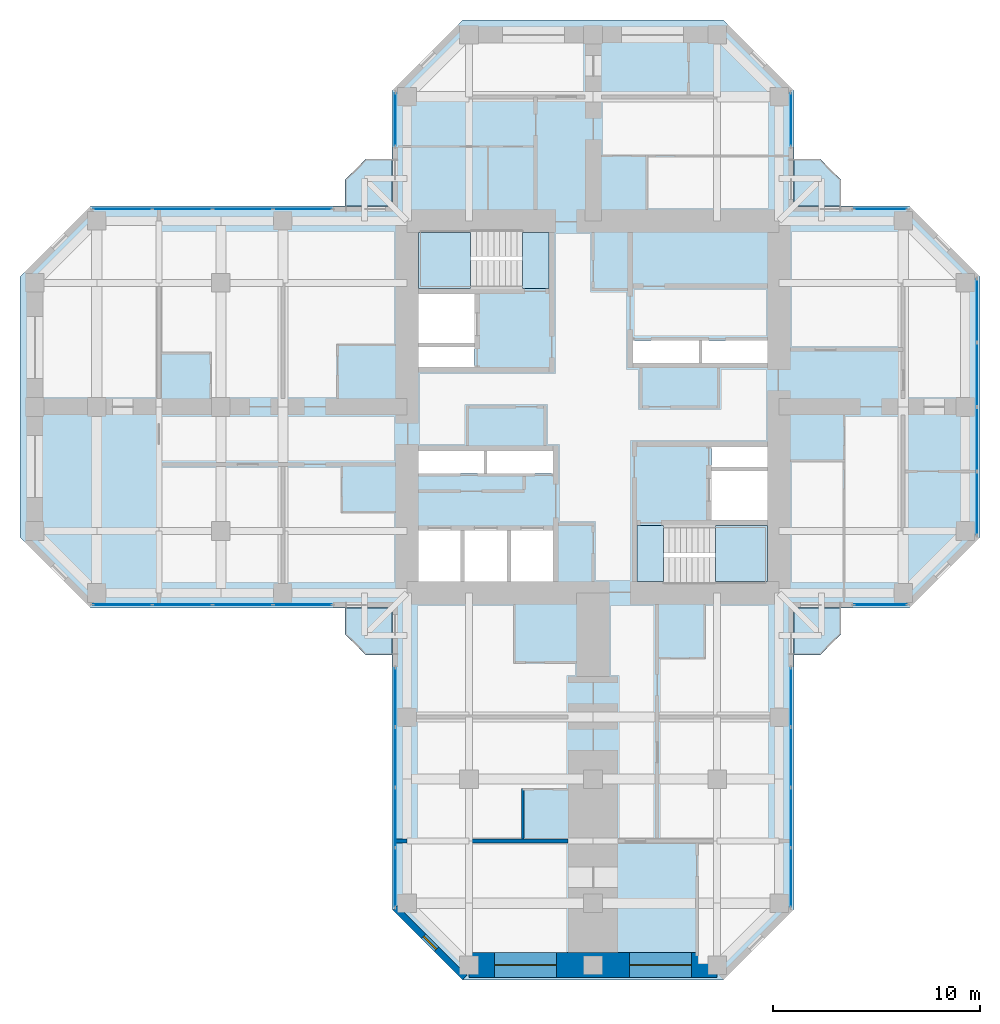
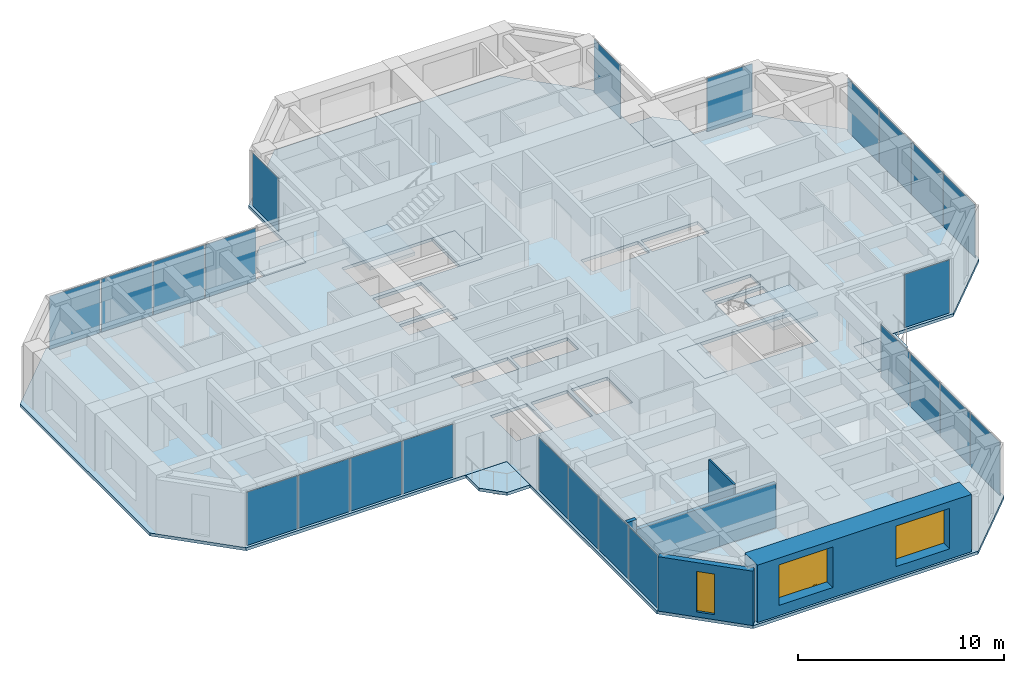
# One storey, part 7 of 14: 24 plates, 9 slabs, 5 walls, 3 windows, 3 openings, 11 elements without a shape of their own.
"""IFC4 building model written with IfcOpenShell, lengths in metres."""

import ifcopenshell
import ifcopenshell.guid

model = None  # the IFC model being written
_history = None  # IfcOwnerHistory: only IFC2X3 demands one
_inside = {}  # id of a spatial element -> (the spatial element, [elements in it])
_under = {}  # id of a project, library or spatial element -> (it, [spatial elements below it])
_declared = {}  # id of a project -> (the project, [libraries it declares])
_typed = {}  # id of a type object -> (the type object, [elements of that type])
_made_of = {}  # id of a material, layer set ... -> (it, [elements and type objects made of it])


def new_model(schema):
    """Start an empty IFC model of exactly this schema.

    Asked for "IFC4X3", IfcOpenShell would pick the latest addendum, in which some entities
    have other attributes; the version numbers below select the first issue.
    IFC2X3 requires an IfcOwnerHistory on every rooted entity: one is made here for all.
    """
    global model, _history
    if schema == "IFC4X3":
        model = ifcopenshell.file(schema_version=(4, 3, 0, 0))
    else:
        model = ifcopenshell.file(schema=schema)
    _inside.clear()
    _under.clear()
    _declared.clear()
    _typed.clear()
    _made_of.clear()
    _history = None
    if model.schema == "IFC2X3":
        org = make("IfcOrganization", Name="unknown")
        user = make(
            "IfcPersonAndOrganization",
            ThePerson=make("IfcPerson", FamilyName="unknown"),
            TheOrganization=org,
        )
        app = make(
            "IfcApplication",
            ApplicationDeveloper=org,
            Version="unknown",
            ApplicationFullName="unknown",
            ApplicationIdentifier="unknown",
        )
        _history = make(
            "IfcOwnerHistory",
            OwningUser=user,
            OwningApplication=app,
            ChangeAction="ADDED",
            CreationDate=0,
        )
    return model


def make(cls, **values):
    """One entity of the class cls with the attributes given. An attribute that is None is left unset."""
    return model.create_entity(
        cls, **{name: value for name, value in values.items() if value is not None}
    )


def rooted(cls, **values):
    """An entity with a GlobalId (a new one), such as an element, a storey or a relation."""
    return make(cls, GlobalId=ifcopenshell.guid.new(), OwnerHistory=_history, **values)


def si_unit(unit_type, name, prefix=None):
    """IfcSIUnit, for example si_unit("LENGTHUNIT", "METRE", prefix="MILLI")."""
    return make("IfcSIUnit", UnitType=unit_type, Prefix=prefix, Name=name)


def assignment(units):
    """IfcUnitAssignment: the units of a project."""
    return None if units is None else make("IfcUnitAssignment", Units=units)


def point(xyz):
    """IfcCartesianPoint."""
    return None if xyz is None else make("IfcCartesianPoint", Coordinates=xyz)


def direction(xyz):
    """IfcDirection."""
    return None if xyz is None else make("IfcDirection", DirectionRatios=xyz)


def frame(location, z_axis=None, x_axis=None):
    """IfcAxis2Placement3D, a coordinate frame: its origin and axes. An axis left out is left unset."""
    return make(
        "IfcAxis2Placement3D",
        Location=point(location),
        Axis=direction(z_axis),
        RefDirection=direction(x_axis),
    )


def frame_2d(location, x_axis=None):
    """IfcAxis2Placement2D, a coordinate frame in the plane: its origin and x axis."""
    return make(
        "IfcAxis2Placement2D", Location=point(location), RefDirection=direction(x_axis)
    )


def origin():
    """The frame at (0, 0, 0) with its axes left unset."""
    return frame((0.0, 0.0, 0.0))


def origin_2d():
    """The frame at (0, 0) in the plane with its x axis left unset."""
    return frame_2d((0.0, 0.0))


def place(relative_to, where):
    """IfcLocalPlacement: puts the frame where relative to a parent placement (None: the world)."""
    return make(
        "IfcLocalPlacement", PlacementRelTo=relative_to, RelativePlacement=where
    )


def context(
    kind, dimensions, precision=None, world=None, true_north=None, identifier=None
):
    """IfcGeometricRepresentationContext, for example the 3D "Model" context."""
    return make(
        "IfcGeometricRepresentationContext",
        ContextIdentifier=identifier,
        ContextType=kind,
        CoordinateSpaceDimension=dimensions,
        Precision=precision,
        WorldCoordinateSystem=world,
        TrueNorth=true_north,
    )


def subcontext(parent, identifier, kind, view, scale=None):
    """IfcGeometricRepresentationSubContext, for example "Body" below "Model"."""
    return make(
        "IfcGeometricRepresentationSubContext",
        ContextIdentifier=identifier,
        ContextType=kind,
        ParentContext=parent,
        TargetScale=scale,
        TargetView=view,
    )


def project(units=None, contexts=None):
    """IfcProject with its units and contexts."""
    return rooted(
        "IfcProject",
        Name="project",
        RepresentationContexts=contexts,
        UnitsInContext=assignment(units),
    )


def spatial(cls, under=None, at=None, **own):
    """A site, building, storey or space (cls), placed at a placement, below another one or the project."""
    s = rooted(cls, ObjectPlacement=at, **own)
    if under is not None:
        _under.setdefault(under.id(), (under, []))[1].append(s)
    return s


def polyline(points):
    """IfcPolyline through the points."""
    return make("IfcPolyline", Points=[point(p) for p in points])


def profile(cls, at=None, kind="AREA", **sizes):
    """A parametric profile (cls). Its sizes go by their IFC names, for example OverallWidth=200.0."""
    return make(cls, ProfileType=kind, Position=at, **sizes)


def rectangle(**sizes):
    """IfcRectangleProfileDef."""
    return profile("IfcRectangleProfileDef", **sizes)


def hollow_rectangle(**sizes):
    """IfcRectangleHollowProfileDef."""
    return profile("IfcRectangleHollowProfileDef", **sizes)


def outline(outer, holes=None, kind="AREA"):
    """IfcArbitraryClosedProfileDef: a profile drawn as a closed curve; with holes, ...WithVoids."""
    if holes is None:
        return make("IfcArbitraryClosedProfileDef", ProfileType=kind, OuterCurve=outer)
    return make(
        "IfcArbitraryProfileDefWithVoids",
        ProfileType=kind,
        OuterCurve=outer,
        InnerCurves=holes,
    )


def extrude(swept, where, along, depth):
    """IfcExtrudedAreaSolid: the profile swept, set in the frame where, extruded along a direction by depth."""
    return make(
        "IfcExtrudedAreaSolid",
        SweptArea=swept,
        Position=where,
        ExtrudedDirection=direction(along),
        Depth=depth,
    )


def shape(context_of_items, identifier, shape_type, items):
    """IfcShapeRepresentation: the items that make up one representation, for example the "Body"."""
    return make(
        "IfcShapeRepresentation",
        ContextOfItems=context_of_items,
        RepresentationIdentifier=identifier,
        RepresentationType=shape_type,
        Items=items,
    )


def material(Name=None, Category=None):
    """IfcMaterial."""
    return make("IfcMaterial", Name=Name, Category=Category)


def layer(
    of_material, thickness, ventilated=None, Name=None, Category=None, Priority=None
):
    """IfcMaterialLayer: one layer of a wall or slab, of a material (None: an air gap)."""
    return make(
        "IfcMaterialLayer",
        Material=of_material,
        LayerThickness=thickness,
        IsVentilated=ventilated,
        Name=Name,
        Category=Category,
        Priority=Priority,
    )


def layer_set(layers, Name=None):
    """IfcMaterialLayerSet."""
    return make("IfcMaterialLayerSet", MaterialLayers=layers, LayerSetName=Name)


def constituent(of_material, Name=None, Category=None, fraction=None):
    """IfcMaterialConstituent: one of the materials an element consists of."""
    return make(
        "IfcMaterialConstituent",
        Name=Name,
        Material=of_material,
        Fraction=fraction,
        Category=Category,
    )


def constituent_set(constituents=None, Name=None):
    """IfcMaterialConstituentSet."""
    return make(
        "IfcMaterialConstituentSet", Name=Name, MaterialConstituents=constituents
    )


def made_of(thing, what):
    """Note that an element or type object is made of a material, layer set ...; save() writes the relation."""
    if what is not None:
        _made_of.setdefault(what.id(), (what, []))[1].append(thing)
    return thing


def type_object(cls, material=None, **own):
    """A type object (cls), such as IfcWallType, which elements share."""
    return made_of(rooted(cls, **own), material)


def element(
    cls,
    number,
    at=None,
    inside=None,
    cuts=None,
    type_object=None,
    material=None,
    context=None,
    identifier="Body",
    shape_type=None,
    held_by="IfcProductDefinitionShape",
    body=None,
    shapes=None,
    **own,
):
    """One element of the class cls, such as IfcWall. Its Tag is "e" and its number.

    at: its placement. inside: the storey or other place that contains it. cuts: it is an
    opening in that element (IfcRelVoidsElement). A single representation is given by context,
    identifier, shape_type and body (its items); several are given by shapes. held_by: the class
    of the entity that holds the representations. save() writes the other relations.
    """
    e = rooted(cls, Tag="e%d" % number, ObjectPlacement=at, **own)
    if body is not None:
        shapes = [shape(context, identifier, shape_type, body)]
    if shapes is not None:
        e.Representation = make(held_by, Representations=shapes)
    if inside is not None:
        _inside.setdefault(inside.id(), (inside, []))[1].append(e)
    if cuts is not None:
        rooted(
            "IfcRelVoidsElement", RelatingBuildingElement=cuts, RelatedOpeningElement=e
        )
    if type_object is not None:
        _typed.setdefault(type_object.id(), (type_object, []))[1].append(e)
    return made_of(e, material)


def fill(opening, filler):
    """IfcRelFillsElement: the door or window that sits in an opening."""
    return rooted(
        "IfcRelFillsElement",
        RelatingOpeningElement=opening,
        RelatedBuildingElement=filler,
    )


def aggregate(whole, parts):
    """IfcRelAggregates: a whole, such as a stair, and the parts it consists of."""
    return rooted("IfcRelAggregates", RelatingObject=whole, RelatedObjects=parts)


def save(model, path):
    """Write the relations noted so far, then the file.

    IfcRelAggregates (storeys below a building ...), IfcRelContainedInSpatialStructure (elements
    in a storey), IfcRelDefinesByType, IfcRelAssociatesMaterial and IfcRelDeclares: one each for
    every whole, place, type object, material and project.
    """
    for whole, parts in _under.values():
        aggregate(whole, parts)
    for where, things in _inside.values():
        rooted(
            "IfcRelContainedInSpatialStructure",
            RelatedElements=things,
            RelatingStructure=where,
        )
    for kind, things in _typed.values():
        rooted("IfcRelDefinesByType", RelatedObjects=things, RelatingType=kind)
    for what, things in _made_of.values():
        rooted("IfcRelAssociatesMaterial", RelatedObjects=things, RelatingMaterial=what)
    for by, libraries in _declared.values():
        rooted("IfcRelDeclares", RelatingContext=by, RelatedDefinitions=libraries)
    model.write(path)


model = new_model("IFC4")

# Units and contexts
model_context = context("Model", 3, precision=1e-05, world=origin(), true_north=direction((0.0, 1.0)))
body_context = subcontext(model_context, "Body", "Model", "MODEL_VIEW")
ifc_project = project(units=[si_unit("LENGTHUNIT", "METRE"), si_unit("AREAUNIT", "SQUARE_METRE"), si_unit("VOLUMEUNIT", "CUBIC_METRE"), si_unit("PLANEANGLEUNIT", "RADIAN"), si_unit("MASSUNIT", "GRAM", prefix="KILO")], contexts=[model_context])

# Site, building, storey
site_placement = place(None, origin())
site = spatial("IfcSite", under=ifc_project, at=site_placement, CompositionType="ELEMENT")
building_placement = place(site_placement, origin())
building = spatial("IfcBuilding", under=site, at=building_placement, Name="Torre Cruceta", CompositionType="ELEMENT")
storey_placement = place(building_placement, frame((0.0, 0.0, 210.300048828125)))
storey = spatial("IfcBuildingStorey", under=building, at=storey_placement, Name="L53", CompositionType="ELEMENT", Elevation=210.300048828125)

# Slabs
ifc_material_1 = material(Name="Concrete G35 (fck 35 MPa)", Category="concrete")
ifc_layer_1 = layer(ifc_material_1, 0.179931640625)
ifc_layer_set_1 = layer_set([ifc_layer_1], Name="Concrete G35 (fck 35 MPa)")
slab_type_1 = type_object("IfcSlabType", Name="BALCONY SLAB 180", PredefinedType="USERDEFINED", material=ifc_layer_set_1)
slab_1_placement = place(storey_placement, frame((0.0, 0.0, -0.179931640625)))
element("IfcSlab", 1, at=slab_1_placement, inside=storey, type_object=slab_type_1, Name="Balcony slab L53 N", ObjectType="BALCONY", PredefinedType="USERDEFINED", context=body_context, shape_type="SweptSolid", body=[
    extrude(outline(polyline([(-12.0, 11.0), (-11.0, 12.0), (-9.719970703125, 12.0), (-9.719970703125, 9.719970703125), (-12.0, 9.719970703125), (-12.0, 11.0)])), origin(), (0.0, 0.0, 1.0), 0.179931640625),
])
slab_2_placement = place(storey_placement, frame((0.0, 0.0, -0.179931640625)))
element("IfcSlab", 2, at=slab_2_placement, inside=storey, type_object=slab_type_1, Name="Balcony slab L53 E", ObjectType="BALCONY", PredefinedType="USERDEFINED", context=body_context, shape_type="SweptSolid", body=[
    extrude(outline(polyline([(11.0, 12.0), (12.0, 11.0), (12.0, 9.719970703125), (9.719970703125, 9.719970703125), (9.719970703125, 12.0), (11.0, 12.0)])), origin(), (0.0, 0.0, 1.0), 0.179931640625),
])
slab_3_placement = place(storey_placement, frame((0.0, 0.0, -0.179931640625)))
element("IfcSlab", 3, at=slab_3_placement, inside=storey, type_object=slab_type_1, Name="Balcony slab L53 S", ObjectType="BALCONY", PredefinedType="USERDEFINED", context=body_context, shape_type="SweptSolid", body=[
    extrude(outline(polyline([(12.0, -11.0), (11.0, -12.0), (9.719970703125, -12.0), (9.719970703125, -9.719970703125), (12.0, -9.719970703125), (12.0, -11.0)])), origin(), (0.0, 0.0, 1.0), 0.179931640625),
])
slab_4_placement = place(storey_placement, frame((0.0, 0.0, -0.179931640625)))
element("IfcSlab", 4, at=slab_4_placement, inside=storey, type_object=slab_type_1, Name="Balcony slab L53 W", ObjectType="BALCONY", PredefinedType="USERDEFINED", context=body_context, shape_type="SweptSolid", body=[
    extrude(outline(polyline([(-11.0, -12.0), (-12.0, -11.0), (-12.0, -9.719970703125), (-9.719970703125, -9.719970703125), (-9.719970703125, -12.0), (-11.0, -12.0)])), origin(), (0.0, 0.0, 1.0), 0.179931640625),
])

# Curtain wall, plate
ifc_material_2 = material(Name="Aluminium unitised curtain wall", Category="aluminium")
curtain_wall_type = type_object("IfcCurtainWallType", Name="CURTAIN WALL CW-C CO-LIVING", PredefinedType="USERDEFINED", material=ifc_material_2)
curtain_wall_1_placement = place(storey_placement, origin())
curtain_wall_1 = element("IfcCurtainWall", 5, at=curtain_wall_1_placement, inside=storey, type_object=curtain_wall_type, Name="CW-C L53 E tip 02", ObjectType="UNITISED", PredefinedType="USERDEFINED")
ifc_material_3 = material(Name="Laminated insulating glass unit, low-iron clear", Category="glass")
ifc_material_4 = material(Name="Laminated insulating glass unit, diagonal frit 50 %", Category="glass")
ifc_layer_2 = layer(ifc_material_4, 0.030029296875)
ifc_layer_set_2 = layer_set([ifc_layer_2], Name="Laminated insulating glass unit, diagonal frit 50 %")
plate_type_1 = type_object("IfcPlateType", Name="CW-C OPERABLE VENT PANEL 30", PredefinedType="CURTAIN_PANEL", material=ifc_layer_set_2)
plate_1_placement = place(storey_placement, frame((18.570068359375, -1.55908203125, 0.010009765625), z_axis=(0.0, 0.0, 1.0), x_axis=(0.0, 1.0, 0.0)))
plate_1 = element("IfcPlate", 6, at=plate_1_placement, type_object=plate_type_1, material=ifc_material_3, Name="CW-C vent 2", PredefinedType="CURTAIN_PANEL", context=body_context, shape_type="SweptSolid", body=[
    extrude(rectangle(XDim=3.05810546875, YDim=0.030029296875, at=origin_2d()), origin(), (0.0, 0.0, 1.0), 3.14990234375),
])

curtain_wall_2_placement = place(storey_placement, origin())
curtain_wall_2 = element("IfcCurtainWall", 7, at=curtain_wall_2_placement, inside=storey, type_object=curtain_wall_type, Name="CW-C L53 W side 10", ObjectType="UNITISED", PredefinedType="USERDEFINED")
plate_2_placement = place(storey_placement, frame((-16.94482421875, 9.570068359375, 0.010009765625), z_axis=(0.0, 0.0, 1.0), x_axis=(-1.0, 0.0, 0.0)))
plate_2 = element("IfcPlate", 8, at=plate_2_placement, type_object=plate_type_1, material=ifc_material_3, Name="CW-C vent 2", PredefinedType="CURTAIN_PANEL", context=body_context, shape_type="SweptSolid", body=[
    extrude(rectangle(XDim=2.8564453125, YDim=0.030029296875, at=origin_2d()), origin(), (0.0, 0.0, 1.0), 3.14990234375),
])

curtain_wall_3_placement = place(storey_placement, origin())
curtain_wall_3 = element("IfcCurtainWall", 9, at=curtain_wall_3_placement, inside=storey, type_object=curtain_wall_type, Name="CW-C L53 W side 14", ObjectType="UNITISED", PredefinedType="USERDEFINED")
plate_3_placement = place(storey_placement, frame((-19.861328125, -9.570068359375, 0.010009765625), z_axis=(0.0, 0.0, 1.0), x_axis=(1.0, 0.0, 0.0)))
plate_3 = element("IfcPlate", 10, at=plate_3_placement, type_object=plate_type_1, material=ifc_material_3, Name="CW-C vent 2", PredefinedType="CURTAIN_PANEL", context=body_context, shape_type="SweptSolid", body=[
    extrude(rectangle(XDim=2.8564453125, YDim=0.030029296875, at=origin_2d()), origin(), (0.0, 0.0, 1.0), 3.14990234375),
])

curtain_wall_4_placement = place(storey_placement, origin())
curtain_wall_4 = element("IfcCurtainWall", 11, at=curtain_wall_4_placement, inside=storey, type_object=curtain_wall_type, Name="CW-C L53 S side 15", ObjectType="UNITISED", PredefinedType="USERDEFINED")
plate_4_placement = place(storey_placement, frame((-9.570068359375, -16.94482421875, 0.010009765625), z_axis=(0.0, 0.0, 1.0), x_axis=(0.0, -1.0, 0.0)))
plate_4 = element("IfcPlate", 12, at=plate_4_placement, type_object=plate_type_1, material=ifc_material_3, Name="CW-C vent 2", PredefinedType="CURTAIN_PANEL", context=body_context, shape_type="SweptSolid", body=[
    extrude(rectangle(XDim=2.8564453125, YDim=0.030029296875, at=origin_2d()), origin(), (0.0, 0.0, 1.0), 3.14990234375),
])

curtain_wall_5_placement = place(storey_placement, origin())
curtain_wall_5 = element("IfcCurtainWall", 13, at=curtain_wall_5_placement, inside=storey, type_object=curtain_wall_type, Name="CW-C L53 S side 19", ObjectType="UNITISED", PredefinedType="USERDEFINED")
plate_5_placement = place(storey_placement, frame((9.570068359375, -19.861328125, 0.010009765625), z_axis=(0.0, 0.0, 1.0), x_axis=(0.0, 1.0, 0.0)))
plate_5 = element("IfcPlate", 14, at=plate_5_placement, type_object=plate_type_1, material=ifc_material_3, Name="CW-C vent 2", PredefinedType="CURTAIN_PANEL", context=body_context, shape_type="SweptSolid", body=[
    extrude(rectangle(XDim=2.8564453125, YDim=0.030029296875, at=origin_2d()), origin(), (0.0, 0.0, 1.0), 3.14990234375),
])

curtain_wall_6_placement = place(storey_placement, origin())
curtain_wall_6 = element("IfcCurtainWall", 15, at=curtain_wall_6_placement, inside=storey, type_object=curtain_wall_type, Name="CW-C L53 E side 00", ObjectType="UNITISED", PredefinedType="USERDEFINED")
ifc_material_5 = material(Name="Laminated insulating glass unit, diagonal frit 50 %", Category="glass")
ifc_material_6 = material(Name="Laminated insulating glass unit, diagonal frit 50 %", Category="glass")
ifc_layer_3 = layer(ifc_material_6, 0.030029296875)
ifc_layer_set_3 = layer_set([ifc_layer_3], Name="Laminated insulating glass unit, diagonal frit 50 %")
plate_type_2 = type_object("IfcPlateType", Name="CW-C PANEL 30", PredefinedType="CURTAIN_PANEL", material=ifc_layer_set_3)
plate_6_placement = place(storey_placement, frame((13.903076171875, -9.570068359375, 0.010009765625), z_axis=(0.0, 0.0, 1.0), x_axis=(1.0, 0.0, 0.0)))
plate_6 = element("IfcPlate", 16, at=plate_6_placement, type_object=plate_type_2, material=ifc_material_5, Name="CW-C panel 1", PredefinedType="CURTAIN_PANEL", context=body_context, shape_type="SweptSolid", body=[
    extrude(rectangle(XDim=2.546142578125, YDim=0.030029296875, at=origin_2d()), origin(), (0.0, 0.0, 1.0), 3.14990234375),
])
aggregate(curtain_wall_6, [plate_6])

# Plate
plate_7_placement = place(storey_placement, frame((18.570068359375, -4.662109375, 0.010009765625), z_axis=(0.0, 0.0, 1.0), x_axis=(0.0, 1.0, 0.0)))
plate_7 = element("IfcPlate", 17, at=plate_7_placement, type_object=plate_type_2, material=ifc_material_5, Name="CW-C panel 1", PredefinedType="CURTAIN_PANEL", context=body_context, shape_type="SweptSolid", body=[
    extrude(rectangle(XDim=3.028076171875, YDim=0.030029296875, at=origin_2d()), origin(), (0.0, 0.0, 1.0), 3.14990234375),
])

plate_8_placement = place(storey_placement, frame((18.570068359375, 1.55908203125, 0.010009765625), z_axis=(0.0, 0.0, 1.0), x_axis=(0.0, 1.0, 0.0)))
plate_8 = element("IfcPlate", 18, at=plate_8_placement, type_object=plate_type_2, material=ifc_material_3, Name="CW-C panel 3", PredefinedType="CURTAIN_PANEL", context=body_context, shape_type="SweptSolid", body=[
    extrude(rectangle(XDim=3.05810546875, YDim=0.030029296875, at=origin_2d()), origin(), (0.0, 0.0, 1.0), 3.14990234375),
])

plate_9_placement = place(storey_placement, frame((18.570068359375, 4.662109375, 0.010009765625), z_axis=(0.0, 0.0, 1.0), x_axis=(0.0, 1.0, 0.0)))
plate_9 = element("IfcPlate", 19, at=plate_9_placement, type_object=plate_type_2, material=ifc_material_5, Name="CW-C panel 4", PredefinedType="CURTAIN_PANEL", context=body_context, shape_type="SweptSolid", body=[
    extrude(rectangle(XDim=3.028076171875, YDim=0.030029296875, at=origin_2d()), origin(), (0.0, 0.0, 1.0), 3.14990234375),
])

aggregate(curtain_wall_1, [plate_7, plate_1, plate_8, plate_9])

# Curtain wall, plate
curtain_wall_7_placement = place(storey_placement, origin())
curtain_wall_7 = element("IfcCurtainWall", 20, at=curtain_wall_7_placement, inside=storey, type_object=curtain_wall_type, Name="CW-C L53 E side 04", ObjectType="UNITISED", PredefinedType="USERDEFINED")
plate_10_placement = place(storey_placement, frame((13.903076171875, 9.570068359375, 0.010009765625), z_axis=(0.0, 0.0, 1.0), x_axis=(-1.0, 0.0, 0.0)))
plate_10 = element("IfcPlate", 21, at=plate_10_placement, type_object=plate_type_2, material=ifc_material_5, Name="CW-C panel 1", PredefinedType="CURTAIN_PANEL", context=body_context, shape_type="SweptSolid", body=[
    extrude(rectangle(XDim=2.546142578125, YDim=0.030029296875, at=origin_2d()), origin(), (0.0, 0.0, 1.0), 3.14990234375),
])
aggregate(curtain_wall_7, [plate_10])

curtain_wall_8_placement = place(storey_placement, origin())
curtain_wall_8 = element("IfcCurtainWall", 22, at=curtain_wall_8_placement, inside=storey, type_object=curtain_wall_type, Name="CW-C L53 N side 05", ObjectType="UNITISED", PredefinedType="USERDEFINED")
plate_11_placement = place(storey_placement, frame((9.570068359375, 13.903076171875, 0.010009765625), z_axis=(0.0, 0.0, 1.0), x_axis=(0.0, 1.0, 0.0)))
plate_11 = element("IfcPlate", 23, at=plate_11_placement, type_object=plate_type_2, material=ifc_material_5, Name="CW-C panel 1", PredefinedType="CURTAIN_PANEL", context=body_context, shape_type="SweptSolid", body=[
    extrude(rectangle(XDim=2.546142578125, YDim=0.030029296875, at=origin_2d()), origin(), (0.0, 0.0, 1.0), 3.14990234375),
])
aggregate(curtain_wall_8, [plate_11])

curtain_wall_9_placement = place(storey_placement, origin())
curtain_wall_9 = element("IfcCurtainWall", 24, at=curtain_wall_9_placement, inside=storey, type_object=curtain_wall_type, Name="CW-C L53 N side 09", ObjectType="UNITISED", PredefinedType="USERDEFINED")
plate_12_placement = place(storey_placement, frame((-9.570068359375, 13.903076171875, 0.010009765625), z_axis=(0.0, 0.0, 1.0), x_axis=(0.0, -1.0, 0.0)))
plate_12 = element("IfcPlate", 25, at=plate_12_placement, type_object=plate_type_2, material=ifc_material_5, Name="CW-C panel 1", PredefinedType="CURTAIN_PANEL", context=body_context, shape_type="SweptSolid", body=[
    extrude(rectangle(XDim=2.546142578125, YDim=0.030029296875, at=origin_2d()), origin(), (0.0, 0.0, 1.0), 3.14990234375),
])
aggregate(curtain_wall_9, [plate_12])

# Plate
plate_13_placement = place(storey_placement, frame((-14.043212890625, 9.570068359375, 0.010009765625), z_axis=(0.0, 0.0, 1.0), x_axis=(-1.0, 0.0, 0.0)))
plate_13 = element("IfcPlate", 26, at=plate_13_placement, type_object=plate_type_2, material=ifc_material_5, Name="CW-C panel 1", PredefinedType="CURTAIN_PANEL", context=body_context, shape_type="SweptSolid", body=[
    extrude(rectangle(XDim=2.826416015625, YDim=0.030029296875, at=origin_2d()), origin(), (0.0, 0.0, 1.0), 3.14990234375),
])

plate_14_placement = place(storey_placement, frame((-19.861328125, 9.570068359375, 0.010009765625), z_axis=(0.0, 0.0, 1.0), x_axis=(-1.0, 0.0, 0.0)))
plate_14 = element("IfcPlate", 27, at=plate_14_placement, type_object=plate_type_2, material=ifc_material_3, Name="CW-C panel 3", PredefinedType="CURTAIN_PANEL", context=body_context, shape_type="SweptSolid", body=[
    extrude(rectangle(XDim=2.8564453125, YDim=0.030029296875, at=origin_2d()), origin(), (0.0, 0.0, 1.0), 3.14990234375),
])

plate_15_placement = place(storey_placement, frame((-22.762939453125, 9.570068359375, 0.010009765625), z_axis=(0.0, 0.0, 1.0), x_axis=(-1.0, 0.0, 0.0)))
plate_15 = element("IfcPlate", 28, at=plate_15_placement, type_object=plate_type_2, material=ifc_material_5, Name="CW-C panel 4", PredefinedType="CURTAIN_PANEL", context=body_context, shape_type="SweptSolid", body=[
    extrude(rectangle(XDim=2.826416015625, YDim=0.030029296875, at=origin_2d()), origin(), (0.0, 0.0, 1.0), 3.14990234375),
])

aggregate(curtain_wall_2, [plate_13, plate_2, plate_14, plate_15])

plate_16_placement = place(storey_placement, frame((-22.762939453125, -9.570068359375, 0.010009765625), z_axis=(0.0, 0.0, 1.0), x_axis=(1.0, 0.0, 0.0)))
plate_16 = element("IfcPlate", 29, at=plate_16_placement, type_object=plate_type_2, material=ifc_material_5, Name="CW-C panel 1", PredefinedType="CURTAIN_PANEL", context=body_context, shape_type="SweptSolid", body=[
    extrude(rectangle(XDim=2.826416015625, YDim=0.030029296875, at=origin_2d()), origin(), (0.0, 0.0, 1.0), 3.14990234375),
])

plate_17_placement = place(storey_placement, frame((-16.94482421875, -9.570068359375, 0.010009765625), z_axis=(0.0, 0.0, 1.0), x_axis=(1.0, 0.0, 0.0)))
plate_17 = element("IfcPlate", 30, at=plate_17_placement, type_object=plate_type_2, material=ifc_material_3, Name="CW-C panel 3", PredefinedType="CURTAIN_PANEL", context=body_context, shape_type="SweptSolid", body=[
    extrude(rectangle(XDim=2.8564453125, YDim=0.030029296875, at=origin_2d()), origin(), (0.0, 0.0, 1.0), 3.14990234375),
])

plate_18_placement = place(storey_placement, frame((-14.043212890625, -9.570068359375, 0.010009765625), z_axis=(0.0, 0.0, 1.0), x_axis=(1.0, 0.0, 0.0)))
plate_18 = element("IfcPlate", 31, at=plate_18_placement, type_object=plate_type_2, material=ifc_material_5, Name="CW-C panel 4", PredefinedType="CURTAIN_PANEL", context=body_context, shape_type="SweptSolid", body=[
    extrude(rectangle(XDim=2.826416015625, YDim=0.030029296875, at=origin_2d()), origin(), (0.0, 0.0, 1.0), 3.14990234375),
])

aggregate(curtain_wall_3, [plate_16, plate_3, plate_17, plate_18])

plate_19_placement = place(storey_placement, frame((-9.570068359375, -14.043212890625, 0.010009765625), z_axis=(0.0, 0.0, 1.0), x_axis=(0.0, -1.0, 0.0)))
plate_19 = element("IfcPlate", 32, at=plate_19_placement, type_object=plate_type_2, material=ifc_material_5, Name="CW-C panel 1", PredefinedType="CURTAIN_PANEL", context=body_context, shape_type="SweptSolid", body=[
    extrude(rectangle(XDim=2.826416015625, YDim=0.030029296875, at=origin_2d()), origin(), (0.0, 0.0, 1.0), 3.14990234375),
])

plate_20_placement = place(storey_placement, frame((-9.570068359375, -19.861328125, 0.010009765625), z_axis=(0.0, 0.0, 1.0), x_axis=(0.0, -1.0, 0.0)))
plate_20 = element("IfcPlate", 33, at=plate_20_placement, type_object=plate_type_2, material=ifc_material_3, Name="CW-C panel 3", PredefinedType="CURTAIN_PANEL", context=body_context, shape_type="SweptSolid", body=[
    extrude(rectangle(XDim=2.8564453125, YDim=0.030029296875, at=origin_2d()), origin(), (0.0, 0.0, 1.0), 3.14990234375),
])

plate_21_placement = place(storey_placement, frame((-9.570068359375, -22.762939453125, 0.010009765625), z_axis=(0.0, 0.0, 1.0), x_axis=(0.0, -1.0, 0.0)))
plate_21 = element("IfcPlate", 34, at=plate_21_placement, type_object=plate_type_2, material=ifc_material_5, Name="CW-C panel 4", PredefinedType="CURTAIN_PANEL", context=body_context, shape_type="SweptSolid", body=[
    extrude(rectangle(XDim=2.826416015625, YDim=0.030029296875, at=origin_2d()), origin(), (0.0, 0.0, 1.0), 3.14990234375),
])

aggregate(curtain_wall_4, [plate_19, plate_4, plate_20, plate_21])

plate_22_placement = place(storey_placement, frame((9.570068359375, -22.762939453125, 0.010009765625), z_axis=(0.0, 0.0, 1.0), x_axis=(0.0, 1.0, 0.0)))
plate_22 = element("IfcPlate", 35, at=plate_22_placement, type_object=plate_type_2, material=ifc_material_5, Name="CW-C panel 1", PredefinedType="CURTAIN_PANEL", context=body_context, shape_type="SweptSolid", body=[
    extrude(rectangle(XDim=2.826416015625, YDim=0.030029296875, at=origin_2d()), origin(), (0.0, 0.0, 1.0), 3.14990234375),
])

plate_23_placement = place(storey_placement, frame((9.570068359375, -16.94482421875, 0.010009765625), z_axis=(0.0, 0.0, 1.0), x_axis=(0.0, 1.0, 0.0)))
plate_23 = element("IfcPlate", 36, at=plate_23_placement, type_object=plate_type_2, material=ifc_material_3, Name="CW-C panel 3", PredefinedType="CURTAIN_PANEL", context=body_context, shape_type="SweptSolid", body=[
    extrude(rectangle(XDim=2.8564453125, YDim=0.030029296875, at=origin_2d()), origin(), (0.0, 0.0, 1.0), 3.14990234375),
])

plate_24_placement = place(storey_placement, frame((9.570068359375, -14.043212890625, 0.010009765625), z_axis=(0.0, 0.0, 1.0), x_axis=(0.0, 1.0, 0.0)))
plate_24 = element("IfcPlate", 37, at=plate_24_placement, type_object=plate_type_2, material=ifc_material_5, Name="CW-C panel 4", PredefinedType="CURTAIN_PANEL", context=body_context, shape_type="SweptSolid", body=[
    extrude(rectangle(XDim=2.826416015625, YDim=0.030029296875, at=origin_2d()), origin(), (0.0, 0.0, 1.0), 3.14990234375),
])

aggregate(curtain_wall_5, [plate_22, plate_5, plate_23, plate_24])

# Slab
ifc_material_7 = material(Name="Concrete G35 (fck 35 MPa)", Category="concrete")
ifc_layer_4 = layer(ifc_material_7, 0.179931640625)
ifc_layer_set_4 = layer_set([ifc_layer_4], Name="Concrete G35 (fck 35 MPa)")
slab_type_2 = type_object("IfcSlabType", Name="FLOOR SLAB 180", PredefinedType="FLOOR", material=ifc_layer_set_4)
slab_5_placement = place(storey_placement, frame((0.0, 0.0, -0.179931640625)))
element("IfcSlab", 38, at=slab_5_placement, inside=storey, type_object=slab_type_2, Name="Floor Slab L53", PredefinedType="FLOOR", context=body_context, shape_type="SweptSolid", body=[
    extrude(outline(polyline([(9.719970703125, -9.719970703125), (9.719970703125, -24.29833984375), (6.29833984375, -27.719970703125), (-6.29833984375, -27.719970703125), (-9.719970703125, -24.29833984375), (-9.719970703125, -9.719970703125), (-24.29833984375, -9.719970703125), (-27.719970703125, -6.29833984375), (-27.719970703125, 6.29833984375), (-24.29833984375, 9.719970703125), (-9.719970703125, 9.719970703125), (-9.719970703125, 15.29833984375), (-6.29833984375, 18.719970703125), (6.29833984375, 18.719970703125), (9.719970703125, 15.29833984375), (9.719970703125, 9.719970703125), (15.29833984375, 9.719970703125), (18.719970703125, 6.29833984375), (18.719970703125, -6.29833984375), (15.29833984375, -9.719970703125), (9.719970703125, -9.719970703125)]), holes=[polyline([(1.925048828125, 2.125), (5.125, 2.125), (5.125, 3.22509765625), (1.925048828125, 3.22509765625), (1.925048828125, 2.125)]), polyline([(5.27490234375, 2.125), (8.449951171875, 2.125), (8.449951171875, 3.22509765625), (5.27490234375, 3.22509765625), (5.27490234375, 2.125)]), polyline([(-8.449951171875, 3.10009765625), (-5.72509765625, 3.10009765625), (-5.72509765625, 5.47509765625), (-8.449951171875, 5.47509765625), (-8.449951171875, 3.10009765625)]), polyline([(-8.449951171875, 1.925048828125), (-5.72509765625, 1.925048828125), (-5.72509765625, 2.89990234375), (-8.449951171875, 2.89990234375), (-8.449951171875, 1.925048828125)]), polyline([(-3.966552734375, -8.449951171875), (-1.925048828125, -8.449951171875), (-1.925048828125, -5.97509765625), (-3.966552734375, -5.97509765625), (-3.966552734375, -8.449951171875)]), polyline([(-6.208251953125, -8.449951171875), (-4.166748046875, -8.449951171875), (-4.166748046875, -5.97509765625), (-6.208251953125, -5.97509765625), (-6.208251953125, -8.449951171875)]), polyline([(-8.449951171875, -8.449951171875), (-6.408447265625, -8.449951171875), (-6.408447265625, -5.97509765625), (-8.449951171875, -5.97509765625), (-8.449951171875, -8.449951171875)]), polyline([(-5.125, -3.22509765625), (-1.925048828125, -3.22509765625), (-1.925048828125, -2.125), (-5.125, -2.125), (-5.125, -3.22509765625)]), polyline([(-8.449951171875, -3.22509765625), (-5.27490234375, -3.22509765625), (-5.27490234375, -2.125), (-8.449951171875, -2.125), (-8.449951171875, -3.22509765625)]), polyline([(5.72509765625, -5.47509765625), (8.449951171875, -5.47509765625), (8.449951171875, -3.10009765625), (5.72509765625, -3.10009765625), (5.72509765625, -5.47509765625)]), polyline([(5.72509765625, -2.89990234375), (8.449951171875, -2.89990234375), (8.449951171875, -1.925048828125), (5.72509765625, -1.925048828125), (5.72509765625, -2.89990234375)]), polyline([(-8.449951171875, 5.72509765625), (-8.449951171875, 8.449951171875), (-3.39990234375, 8.449951171875), (-2.125, 8.449951171875), (-2.125, 5.72509765625), (-3.39990234375, 5.72509765625), (-8.449951171875, 5.72509765625)]), polyline([(2.125, -5.72509765625), (3.39990234375, -5.72509765625), (8.449951171875, -5.72509765625), (8.449951171875, -8.449951171875), (3.39990234375, -8.449951171875), (2.125, -8.449951171875), (2.125, -5.72509765625)])]), origin(), (0.0, 0.0, 1.0), 0.179931640625),
])

# Stair, slab
ifc_material_8 = material(Name="Concrete G30 (fck 30 MPa)", Category="concrete")
stair_type = type_object("IfcStairType", Name="STAIR HALF-TURN 1300", PredefinedType="HALF_TURN_STAIR", material=ifc_material_8)
stair_1_placement = place(storey_placement, origin())
stair_1 = element("IfcStair", 39, at=stair_1_placement, inside=storey, type_object=stair_type, Name="Stair ST1 L53", PredefinedType="HALF_TURN_STAIR")
ifc_material_9 = material(Name="Concrete G30 (fck 30 MPa)", Category="concrete")
ifc_layer_5 = layer(ifc_material_9, 0.199951171875)
ifc_layer_set_5 = layer_set([ifc_layer_5], Name="Concrete G30 (fck 30 MPa)")
slab_type_3 = type_object("IfcSlabType", Name="STAIR LANDING 200", PredefinedType="LANDING", material=ifc_layer_set_5)
slab_6_placement = place(storey_placement, frame((0.0, 0.0, 1.5)))
slab_6 = element("IfcSlab", 40, at=slab_6_placement, type_object=slab_type_3, Name="ST1 landing 1", PredefinedType="LANDING", context=body_context, shape_type="SweptSolid", body=[
    extrude(outline(polyline([(-8.449951171875, 5.72509765625), (-5.919921875, 5.72509765625), (-5.919921875, 8.449951171875), (-8.449951171875, 8.449951171875), (-8.449951171875, 5.72509765625)])), origin(), (0.0, 0.0, 1.0), 0.199951171875),
])
aggregate(stair_1, [slab_6])

stair_2_placement = place(storey_placement, origin())
stair_2 = element("IfcStair", 41, at=stair_2_placement, inside=storey, type_object=stair_type, Name="Stair ST2 L53", PredefinedType="HALF_TURN_STAIR")
slab_7_placement = place(storey_placement, frame((0.0, 0.0, 1.5)))
slab_7 = element("IfcSlab", 42, at=slab_7_placement, type_object=slab_type_3, Name="ST2 landing 1", PredefinedType="LANDING", context=body_context, shape_type="SweptSolid", body=[
    extrude(outline(polyline([(5.919921875, -8.449951171875), (8.449951171875, -8.449951171875), (8.449951171875, -5.72509765625), (5.919921875, -5.72509765625), (5.919921875, -8.449951171875)])), origin(), (0.0, 0.0, 1.0), 0.199951171875),
])
aggregate(stair_2, [slab_7])

# Slabs
slab_8_placement = place(storey_placement, frame((0.0, 0.0, -0.199951171875)))
element("IfcSlab", 43, at=slab_8_placement, inside=storey, type_object=slab_type_3, Name="Stair ST1 floor landing L53", PredefinedType="LANDING", context=body_context, shape_type="SweptSolid", body=[
    extrude(outline(polyline([(-2.125, 8.449951171875), (-2.125, 5.72509765625), (-3.39990234375, 5.72509765625), (-3.39990234375, 8.449951171875), (-2.125, 8.449951171875)])), origin(), (0.0, 0.0, 1.0), 0.199951171875),
])
slab_9_placement = place(storey_placement, frame((0.0, 0.0, -0.199951171875)))
element("IfcSlab", 44, at=slab_9_placement, inside=storey, type_object=slab_type_3, Name="Stair ST2 floor landing L53", PredefinedType="LANDING", context=body_context, shape_type="SweptSolid", body=[
    extrude(outline(polyline([(2.125, -8.449951171875), (2.125, -5.72509765625), (3.39990234375, -5.72509765625), (3.39990234375, -8.449951171875), (2.125, -8.449951171875)])), origin(), (0.0, 0.0, 1.0), 0.199951171875),
])

# Wall
ifc_material_10 = material(Name="Water-resistant plasterboard on steel studs", Category="steel")
ifc_layer_6 = layer(ifc_material_10, 0.10009765625)
ifc_layer_set_6 = layer_set([ifc_layer_6], Name="Water-resistant plasterboard on steel studs")
wall_type_1 = type_object("IfcWallType", Name="BATHROOM WALL 100", PredefinedType="PARTITIONING", material=ifc_layer_set_6)
wall_1_placement = place(storey_placement, frame((-3.39990234375, -18.449951171875, 0.0), z_axis=(0.0, 0.0, 1.0), x_axis=(0.0, -1.0, 0.0)))
element("IfcWall", 45, at=wall_1_placement, inside=storey, type_object=wall_type_1, Name="PT4 L53-S-U2RBB", PredefinedType="PARTITIONING", context=body_context, shape_type="SweptSolid", body=[
    extrude(rectangle(XDim=2.449951171875, YDim=0.10009765625, at=frame_2d((1.22509765625, 0.0))), origin(), (0.0, 0.0, 1.0), 3.219970703125),
])

# Wall, opening, window
ifc_material_11 = material(Name="Concrete G30 (fck 30 MPa)", Category="concrete")
ifc_layer_7 = layer(ifc_material_11, 0.300048828125)
ifc_layer_set_7 = layer_set([ifc_layer_7], Name="Concrete G30 (fck 30 MPa)")
wall_type_2 = type_object("IfcWallType", Name="EXPOSED CONCRETE FACADE WALL 300", PredefinedType="SOLIDWALL", material=ifc_layer_set_7)
wall_2_placement = place(storey_placement, frame((-9.570068359375, -24.236083984375, 0.0), z_axis=(0.0, 0.0, 1.0), x_axis=(0.707106781187, -0.707106781187, 0.0)))
wall_2 = element("IfcWall", 46, at=wall_2_placement, inside=storey, type_object=wall_type_2, Name="EW1 facade wall L53 S chamfer 16", PredefinedType="SOLIDWALL", context=body_context, shape_type="SweptSolid", body=[
    extrude(rectangle(XDim=4.75732421875, YDim=0.300048828125, at=frame_2d((2.378662109375, 0.0))), origin(), (0.0, 0.0, 1.0), 3.219970703125),
])
opening_1_placement = place(wall_2_placement, frame((1.9287109375, 0.0, 0.300048828125)))
opening_1 = element("IfcOpeningElement", 47, at=opening_1_placement, cuts=wall_2, Name="Opening WN5", PredefinedType="OPENING", context=body_context, shape_type="SweptSolid", body=[
    extrude(rectangle(XDim=0.89990234375, YDim=2.39990234375, at=frame_2d((0.449951171875, 1.199951171875))), frame((0.0, 0.159912109375, 0.0), z_axis=(0.0, -1.0, 0.0), x_axis=(1.0, 0.0, 0.0)), (0.0, 0.0, 1.0), 0.320068359375),
])
ifc_material_12 = material(Name="Aluminium window frame", Category="aluminium")
ifc_constituent_1 = constituent(ifc_material_12, Name="Frame")
ifc_material_13 = material(Name="Laminated insulating glass unit, low-iron clear", Category="glass")
ifc_constituent_2 = constituent(ifc_material_13, Name="Glazing")
ifc_constituent_set_1 = constituent_set(constituents=[ifc_constituent_1, ifc_constituent_2], Name="Aluminium window")
window_type_1 = type_object("IfcWindowType", Name="CHAMFER SLOT WINDOW 900X2400", PartitioningType="SINGLE_PANEL", PredefinedType="WINDOW", material=ifc_constituent_set_1)
window_1_placement = place(opening_1_placement, origin())
window_1 = element("IfcWindow", 48, at=window_1_placement, inside=storey, type_object=window_type_1, Name="WN5 L53 S 1", OverallHeight=2.39990234375, OverallWidth=0.89990234375, PartitioningType="SINGLE_PANEL", PredefinedType="WINDOW", context=body_context, shape_type="SweptSolid", body=[
    extrude(hollow_rectangle(XDim=0.89990234375, YDim=2.39990234375, WallThickness=0.06005859375, at=frame_2d((0.449951171875, 1.199951171875))), frame((0.0, 0.030029296875, 0.0), z_axis=(0.0, -1.0, 0.0), x_axis=(1.0, 0.0, 0.0)), (0.0, 0.0, 1.0), 0.06005859375),
    extrude(rectangle(XDim=0.77880859375, YDim=2.27880859375, at=frame_2d((0.449951171875, 1.199951171875))), frame((0.0, 0.030029296875, 0.0), z_axis=(0.0, -1.0, 0.0), x_axis=(1.0, 0.0, 0.0)), (0.0, 0.0, 1.0), 0.06005859375),
])
fill(opening_1, window_1)

# Wall, openings, windows
ifc_material_14 = material(Name="Concrete G60 (fck 60 MPa)", Category="concrete")
ifc_layer_8 = layer(ifc_material_14, 1.199951171875)
ifc_layer_set_8 = layer_set([ifc_layer_8], Name="Concrete G60 (fck 60 MPa)")
wall_type_3 = type_object("IfcWallType", Name="NOSE WALL 1200 G60", PredefinedType="SHEAR", material=ifc_layer_set_8)
wall_3_placement = place(storey_placement, frame((-6.0, -27.0, 0.0), z_axis=(0.0, 0.0, 1.0), x_axis=(1.0, 0.0, 0.0)))
wall_3 = element("IfcWall", 49, at=wall_3_placement, inside=storey, type_object=wall_type_3, Name="NW1 nose wall L53 S", PredefinedType="SHEAR", context=body_context, shape_type="SweptSolid", body=[
    extrude(rectangle(XDim=12.0, YDim=1.199951171875, at=frame_2d((6.0, 0.0))), origin(), (0.0, 0.0, 1.0), 3.39990234375),
])
opening_2_placement = place(wall_3_placement, frame((1.22509765625, 0.0, 0.60009765625)))
opening_2 = element("IfcOpeningElement", 50, at=opening_2_placement, cuts=wall_3, Name="Opening WN6", PredefinedType="OPENING", context=body_context, shape_type="SweptSolid", body=[
    extrude(rectangle(XDim=3.0, YDim=2.39990234375, at=frame_2d((1.5, 1.199951171875))), frame((0.0, 0.60986328125, 0.0), z_axis=(0.0, -1.0, 0.0), x_axis=(1.0, 0.0, 0.0)), (0.0, 0.0, 1.0), 1.219970703125),
])
opening_3_placement = place(wall_3_placement, frame((7.77490234375, 0.0, 0.60009765625)))
opening_3 = element("IfcOpeningElement", 51, at=opening_3_placement, cuts=wall_3, Name="Opening WN6", PredefinedType="OPENING", context=body_context, shape_type="SweptSolid", body=[
    extrude(rectangle(XDim=3.0, YDim=2.39990234375, at=frame_2d((1.5, 1.199951171875))), frame((0.0, 0.60986328125, 0.0), z_axis=(0.0, -1.0, 0.0), x_axis=(1.0, 0.0, 0.0)), (0.0, 0.0, 1.0), 1.219970703125),
])
ifc_material_15 = material(Name="Aluminium window frame", Category="aluminium")
ifc_constituent_3 = constituent(ifc_material_15, Name="Frame")
ifc_material_16 = material(Name="Laminated insulating glass unit, low-iron clear", Category="glass")
ifc_constituent_4 = constituent(ifc_material_16, Name="Glazing")
ifc_constituent_set_2 = constituent_set(constituents=[ifc_constituent_3, ifc_constituent_4], Name="Aluminium window")
window_type_2 = type_object("IfcWindowType", Name="NOSE WALL WINDOW 3000X2400", PartitioningType="SINGLE_PANEL", PredefinedType="WINDOW", material=ifc_constituent_set_2)
window_2_placement = place(opening_2_placement, origin())
window_2 = element("IfcWindow", 52, at=window_2_placement, inside=storey, type_object=window_type_2, Name="WN6 L53 S 1", OverallHeight=2.39990234375, OverallWidth=3.0, PartitioningType="SINGLE_PANEL", PredefinedType="WINDOW", context=body_context, shape_type="SweptSolid", body=[
    extrude(hollow_rectangle(XDim=3.0, YDim=2.39990234375, WallThickness=0.06005859375, at=frame_2d((1.5, 1.199951171875))), frame((0.0, 0.030029296875, 0.0), z_axis=(0.0, -1.0, 0.0), x_axis=(1.0, 0.0, 0.0)), (0.0, 0.0, 1.0), 0.06005859375),
    extrude(rectangle(XDim=2.87890625, YDim=2.27880859375, at=frame_2d((1.5, 1.199951171875))), frame((0.0, 0.030029296875, 0.0), z_axis=(0.0, -1.0, 0.0), x_axis=(1.0, 0.0, 0.0)), (0.0, 0.0, 1.0), 0.06005859375),
])
fill(opening_2, window_2)
window_3_placement = place(opening_3_placement, origin())
window_3 = element("IfcWindow", 53, at=window_3_placement, inside=storey, type_object=window_type_2, Name="WN6 L53 S 2", OverallHeight=2.39990234375, OverallWidth=3.0, PartitioningType="SINGLE_PANEL", PredefinedType="WINDOW", context=body_context, shape_type="SweptSolid", body=[
    extrude(hollow_rectangle(XDim=3.0, YDim=2.39990234375, WallThickness=0.06005859375, at=frame_2d((1.5, 1.199951171875))), frame((0.0, 0.030029296875, 0.0), z_axis=(0.0, -1.0, 0.0), x_axis=(1.0, 0.0, 0.0)), (0.0, 0.0, 1.0), 0.06005859375),
    extrude(rectangle(XDim=2.87890625, YDim=2.27880859375, at=frame_2d((1.5, 1.199951171875))), frame((0.0, 0.030029296875, 0.0), z_axis=(0.0, -1.0, 0.0), x_axis=(1.0, 0.0, 0.0)), (0.0, 0.0, 1.0), 0.06005859375),
])
fill(opening_3, window_3)

# Walls
ifc_material_17 = material(Name="Concrete G25 (fck 25 MPa)", Category="concrete")
ifc_layer_9 = layer(ifc_material_17, 0.199951171875)
ifc_layer_set_9 = layer_set([ifc_layer_9], Name="Concrete G25 (fck 25 MPa)")
wall_type_4 = type_object("IfcWallType", Name="UNIT SEPARATING WALL 200", PredefinedType="SOLIDWALL", material=ifc_layer_set_9)
wall_4_placement = place(storey_placement, frame((-9.530029296875, -21.0, 0.0), z_axis=(0.0, 0.0, 1.0), x_axis=(1.0, 0.0, 0.0)))
element("IfcWall", 54, at=wall_4_placement, inside=storey, type_object=wall_type_4, Name="PT2 L53-S-ENDa", PredefinedType="SOLIDWALL", context=body_context, shape_type="SweptSolid", body=[
    extrude(rectangle(XDim=0.530029296875, YDim=0.199951171875, at=frame_2d((0.26513671875, 0.0))), origin(), (0.0, 0.0, 1.0), 3.219970703125),
])
wall_5_placement = place(storey_placement, frame((-9.0, -21.0, 0.0), z_axis=(0.0, 0.0, 1.0), x_axis=(1.0, 0.0, 0.0)))
element("IfcWall", 55, at=wall_5_placement, inside=storey, type_object=wall_type_4, Name="PT2 L53-S-ENDa 2", PredefinedType="SOLIDWALL", context=body_context, shape_type="SweptSolid", body=[
    extrude(rectangle(XDim=7.800048828125, YDim=0.199951171875, at=frame_2d((3.89990234375, 0.0))), origin(), (0.0, 0.0, 1.0), 2.619873046875),
])

save(model, "model.ifc")
